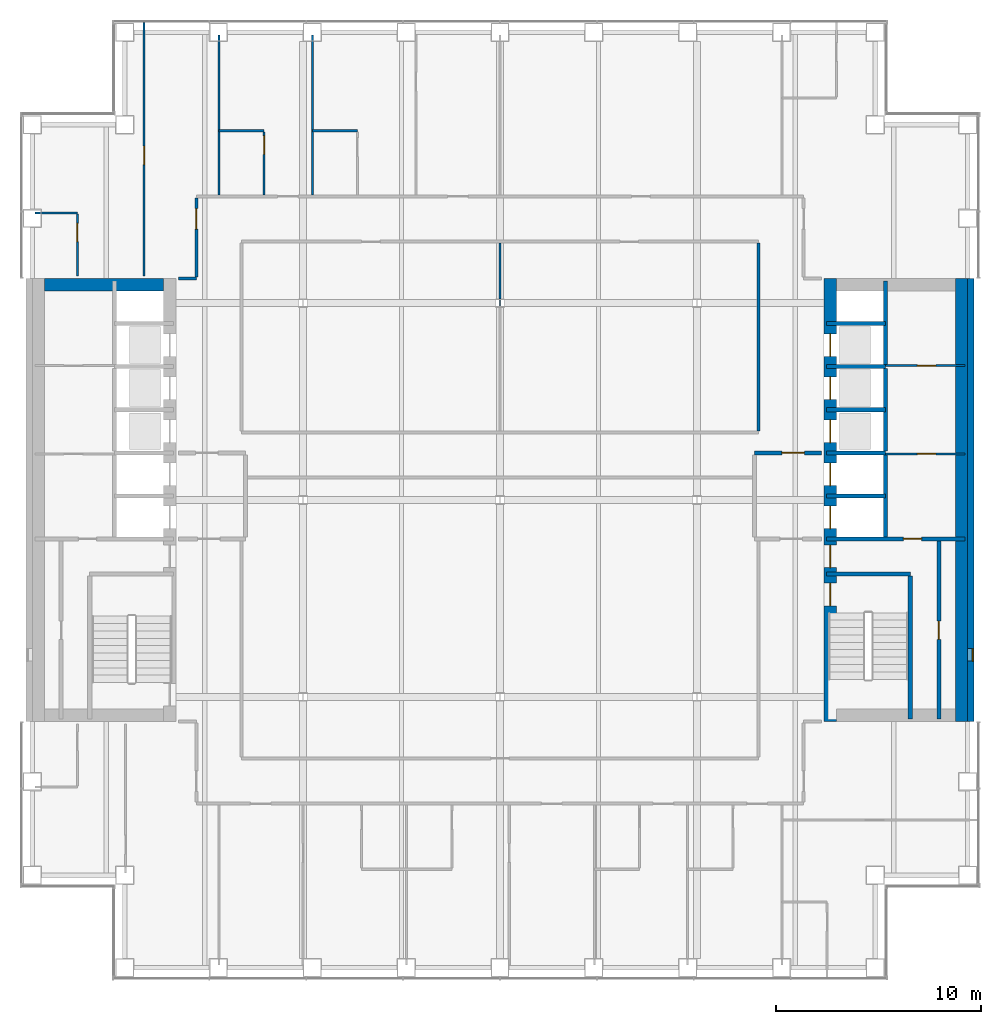
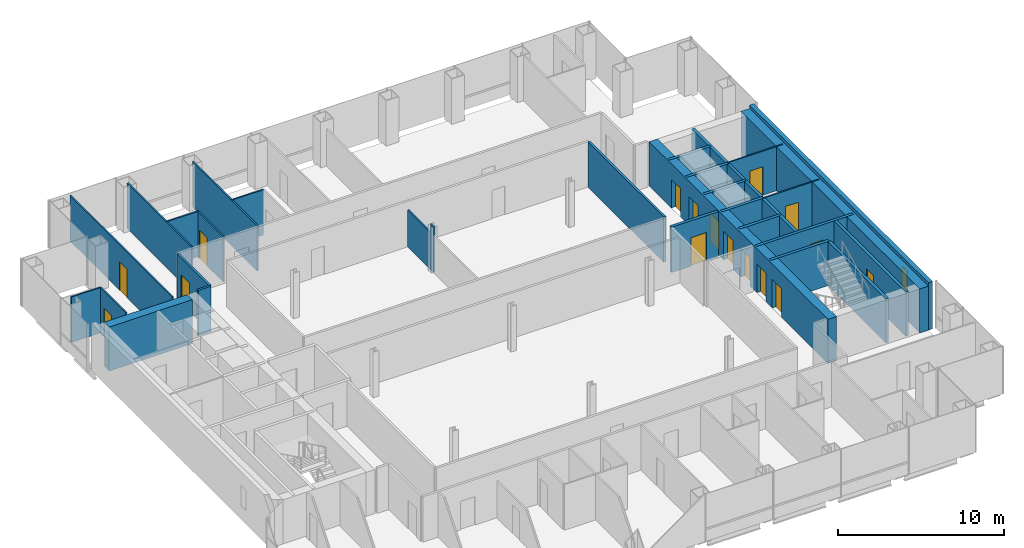
# One storey, part 12 of 15: 32 walls, 16 doors, 1 window, 17 openings.
"""IFC4 building model written with IfcOpenShell, lengths in metres."""

from ifc_helpers import new_model, si_unit, direction, frame, frame_2d, origin, place, context, subcontext, project, spatial, rectangle, extrude, material, layer, layer_set, type_object, element, fill, save


model = new_model("IFC4")

# Units and contexts
model_context = context("Model", 3, precision=1e-05, world=origin(), true_north=direction((0.0, 1.0)))
body_context = subcontext(model_context, "Body", "Model", "MODEL_VIEW")
ifc_project = project(units=[si_unit("LENGTHUNIT", "METRE"), si_unit("AREAUNIT", "SQUARE_METRE"), si_unit("VOLUMEUNIT", "CUBIC_METRE"), si_unit("PLANEANGLEUNIT", "RADIAN"), si_unit("MASSUNIT", "GRAM", prefix="KILO")], contexts=[model_context])

# Site, building, storey
site_placement = place(None, origin())
site = spatial("IfcSite", under=ifc_project, at=site_placement, CompositionType="ELEMENT")
building_placement = place(site_placement, origin())
building = spatial("IfcBuilding", under=site, at=building_placement, Name="Cobrizo Arcos Hotel Tower", CompositionType="ELEMENT")
storey_placement = place(building_placement, frame((0.0, 0.0, 99.5)))
storey = spatial("IfcBuildingStorey", under=building, at=storey_placement, Name="L24", CompositionType="ELEMENT", Elevation=99.5)

# Wall
ifc_material_1 = material(Name="Gypsum board partition")
ifc_layer_1 = layer(ifc_material_1, 0.14990234375)
ifc_layer_set_1 = layer_set([ifc_layer_1], Name="Corridor wall EI 60 150")
wall_type_1 = type_object("IfcWallType", Name="Corridor wall EI 60 150", PredefinedType="PARTITIONING", material=ifc_layer_set_1)
wall_1_placement = place(storey_placement, frame((-15.679931640625, 10.800048828125, 0.0), z_axis=(0.0, 0.0, 1.0), x_axis=(1.0, 0.0, 0.0)))
element("IfcWall", 1, at=wall_1_placement, inside=storey, type_object=wall_type_1, Name="Partition 035", PredefinedType="PARTITIONING", context=body_context, shape_type="SweptSolid", body=[
    extrude(rectangle(XDim=0.8798828125, YDim=0.14990234375, at=frame_2d((0.43994140625, 0.0))), origin(), (0.0, 0.0, 1.0), 3.35009765625),
])

# Wall, opening, door
wall_2_placement = place(storey_placement, frame((-14.800048828125, 10.875, 0.0), z_axis=(0.0, 0.0, 1.0), x_axis=(0.0, 1.0, 0.0)))
wall_2 = element("IfcWall", 2, at=wall_2_placement, inside=storey, type_object=wall_type_1, Name="Partition 053", PredefinedType="PARTITIONING", context=body_context, shape_type="SweptSolid", body=[
    extrude(rectangle(XDim=3.85009765625, YDim=0.14990234375, at=frame_2d((1.925048828125, 0.0))), origin(), (0.0, 0.0, 1.0), 3.35009765625),
])
opening_1_placement = place(wall_2_placement, frame((2.324951171875, 0.0, 0.0)))
opening_1 = element("IfcOpeningElement", 3, at=opening_1_placement, cuts=wall_2, Name="Opening GD-08", PredefinedType="OPENING", context=body_context, shape_type="SweptSolid", body=[
    extrude(rectangle(XDim=1.0, YDim=2.10009765625, at=frame_2d((0.5, 1.050048828125))), frame((0.0, 0.0869140625, 0.0), z_axis=(0.0, -1.0, 0.0), x_axis=(1.0, 0.0, 0.0)), (0.0, 0.0, 1.0), 0.173828125),
])
ifc_material_2 = material(Name="Timber door leaf", Category="wood")
door_type_1 = type_object("IfcDoorType", Name="Guest room door FD30S 1000x2100", OperationType="SINGLE_SWING_LEFT", PredefinedType="DOOR", material=ifc_material_2)
door_1_placement = place(opening_1_placement, origin())
door_1 = element("IfcDoor", 4, at=door_1_placement, inside=storey, type_object=door_type_1, Name="Door GD-08", OperationType="SINGLE_SWING_LEFT", OverallHeight=2.10009765625, OverallWidth=1.0, PredefinedType="DOOR", context=body_context, shape_type="SweptSolid", body=[
    extrude(rectangle(XDim=1.0, YDim=2.10009765625, at=frame_2d((0.5, 1.050048828125))), frame((0.0, 0.02490234375, 0.0), z_axis=(0.0, -1.0, 0.0), x_axis=(1.0, 0.0, 0.0)), (0.0, 0.0, 1.0), 0.050048828125),
])
fill(opening_1, door_1)

# Wall
wall_3_placement = place(storey_placement, frame((12.60009765625, 3.375, 0.0), z_axis=(0.0, 0.0, 1.0), x_axis=(0.0, 1.0, 0.0)))
element("IfcWall", 5, at=wall_3_placement, inside=storey, type_object=wall_type_1, Name="Partition 081", PredefinedType="PARTITIONING", context=body_context, shape_type="SweptSolid", body=[
    extrude(rectangle(XDim=9.14990234375, YDim=0.14990234375, at=frame_2d((4.574951171875, 0.0))), origin(), (0.0, 0.0, 1.0), 3.35009765625),
])

# Wall, opening, window
ifc_material_3 = material(Name="Aluminium composite panel pale metal", Category="aluminium")
ifc_layer_2 = layer(ifc_material_3, 0.300048828125)
ifc_layer_set_2 = layer_set([ifc_layer_2], Name="EW-1 insulated panel wall 300")
wall_type_2 = type_object("IfcWallType", Name="EW-1 insulated panel wall 300", PredefinedType="SOLIDWALL", material=ifc_layer_set_2)
wall_4_placement = place(storey_placement, frame((22.949951171875, -10.800048828125, 0.0), z_axis=(0.0, 0.0, 1.0), x_axis=(0.0, 1.0, 0.0)))
wall_4 = element("IfcWall", 6, at=wall_4_placement, inside=storey, type_object=wall_type_2, Name="Core face wall L24 E", PredefinedType="SOLIDWALL", context=body_context, shape_type="SweptSolid", body=[
    extrude(rectangle(XDim=21.60009765625, YDim=0.300048828125, at=frame_2d((10.800048828125, 0.0))), origin(), (0.0, 0.0, 1.0), 3.5),
])
opening_2_placement = place(wall_4_placement, frame((2.949951171875, 0.0, 1.0)))
opening_2 = element("IfcOpeningElement", 7, at=opening_2_placement, cuts=wall_4, Name="Opening W-49", PredefinedType="OPENING", context=body_context, shape_type="SweptSolid", body=[
    extrude(rectangle(XDim=0.60009765625, YDim=1.5, at=frame_2d((0.300048828125, 0.75))), frame((0.0, 0.162109375, 0.0), z_axis=(0.0, -1.0, 0.0), x_axis=(1.0, 0.0, 0.0)), (0.0, 0.0, 1.0), 0.323974609375),
])
ifc_material_4 = material(Name="Aluminium 6063-T6 and clear laminated glass", Category="aluminium")
window_type = type_object("IfcWindowType", Name="W-C1 core stair slot window 600x1500", PartitioningType="SINGLE_PANEL", PredefinedType="WINDOW", material=ifc_material_4)
window_placement = place(opening_2_placement, origin())
window = element("IfcWindow", 8, at=window_placement, inside=storey, type_object=window_type, Name="Core face wall L24 E window W-49", OverallHeight=1.5, OverallWidth=0.60009765625, PartitioningType="SINGLE_PANEL", PredefinedType="WINDOW", context=body_context, shape_type="SweptSolid", body=[
    extrude(rectangle(XDim=0.60009765625, YDim=1.5, at=frame_2d((0.300048828125, 0.75))), frame((0.0, -0.06005859375, 0.0), z_axis=(0.0, -1.0, 0.0), x_axis=(1.0, 0.0, 0.0)), (0.0, 0.0, 1.0), 0.06005859375),
])
fill(opening_2, window)

# Wall, opening, door
ifc_layer_3 = layer(ifc_material_1, 0.10009765625)
ifc_layer_set_3 = layer_set([ifc_layer_3], Name="Partition EI 30 100")
wall_type_3 = type_object("IfcWallType", Name="Partition EI 30 100", PredefinedType="PARTITIONING", material=ifc_layer_set_3)
wall_5_placement = place(storey_placement, frame((18.800048828125, 2.25, 0.0), z_axis=(0.0, 0.0, 1.0), x_axis=(1.0, 0.0, 0.0)))
wall_5 = element("IfcWall", 9, at=wall_5_placement, inside=storey, type_object=wall_type_3, Name="Partition 021", PredefinedType="PARTITIONING", context=body_context, shape_type="SweptSolid", body=[
    extrude(rectangle(XDim=3.8798828125, YDim=0.10009765625, at=frame_2d((1.93994140625, 0.0))), origin(), (0.0, 0.0, 1.0), 3.25),
])
opening_3_placement = place(wall_5_placement, frame((1.550048828125, 0.0, 0.0)))
opening_3 = element("IfcOpeningElement", 10, at=opening_3_placement, cuts=wall_5, Name="Opening RD-07", PredefinedType="OPENING", context=body_context, shape_type="SweptSolid", body=[
    extrude(rectangle(XDim=0.89990234375, YDim=2.10009765625, at=frame_2d((0.449951171875, 1.050048828125))), frame((0.0, 0.06201171875, 0.0), z_axis=(0.0, -1.0, 0.0), x_axis=(1.0, 0.0, 0.0)), (0.0, 0.0, 1.0), 0.1240234375),
])
door_type_2 = type_object("IfcDoorType", Name="Room door FD30 900x2100", OperationType="SINGLE_SWING_LEFT", PredefinedType="DOOR", material=ifc_material_2)
door_2_placement = place(opening_3_placement, origin())
door_2 = element("IfcDoor", 11, at=door_2_placement, inside=storey, type_object=door_type_2, Name="Door RD-07", OperationType="SINGLE_SWING_RIGHT", OverallHeight=2.10009765625, OverallWidth=0.89990234375, PredefinedType="DOOR", context=body_context, shape_type="SweptSolid", body=[
    extrude(rectangle(XDim=0.89990234375, YDim=2.10009765625, at=frame_2d((0.449951171875, 1.050048828125))), frame((0.0, 0.02490234375, 0.0), z_axis=(0.0, -1.0, 0.0), x_axis=(1.0, 0.0, 0.0)), (0.0, 0.0, 1.0), 0.050048828125),
])
fill(opening_3, door_2)

wall_6_placement = place(storey_placement, frame((18.800048828125, 6.550048828125, 0.0), z_axis=(0.0, 0.0, 1.0), x_axis=(1.0, 0.0, 0.0)))
wall_6 = element("IfcWall", 12, at=wall_6_placement, inside=storey, type_object=wall_type_3, Name="Partition 032", PredefinedType="PARTITIONING", context=body_context, shape_type="SweptSolid", body=[
    extrude(rectangle(XDim=3.8798828125, YDim=0.10009765625, at=frame_2d((1.93994140625, 0.0))), origin(), (0.0, 0.0, 1.0), 3.25),
])
opening_4_placement = place(wall_6_placement, frame((1.550048828125, 0.0, 0.0)))
opening_4 = element("IfcOpeningElement", 13, at=opening_4_placement, cuts=wall_6, Name="Opening RD-08", PredefinedType="OPENING", context=body_context, shape_type="SweptSolid", body=[
    extrude(rectangle(XDim=0.89990234375, YDim=2.10009765625, at=frame_2d((0.449951171875, 1.050048828125))), frame((0.0, 0.06201171875, 0.0), z_axis=(0.0, -1.0, 0.0), x_axis=(1.0, 0.0, 0.0)), (0.0, 0.0, 1.0), 0.1240234375),
])
door_3_placement = place(opening_4_placement, origin())
door_3 = element("IfcDoor", 14, at=door_3_placement, inside=storey, type_object=door_type_2, Name="Door RD-08", OperationType="SINGLE_SWING_RIGHT", OverallHeight=2.10009765625, OverallWidth=0.89990234375, PredefinedType="DOOR", context=body_context, shape_type="SweptSolid", body=[
    extrude(rectangle(XDim=0.89990234375, YDim=2.10009765625, at=frame_2d((0.449951171875, 1.050048828125))), frame((0.0, 0.02490234375, 0.0), z_axis=(0.0, -1.0, 0.0), x_axis=(1.0, 0.0, 0.0)), (0.0, 0.0, 1.0), 0.050048828125),
])
fill(opening_4, door_3)

# Walls
wall_7_placement = place(storey_placement, frame((-22.679931640625, 14.0, 0.0), z_axis=(0.0, 0.0, 1.0), x_axis=(1.0, 0.0, 0.0)))
element("IfcWall", 15, at=wall_7_placement, inside=storey, type_object=wall_type_3, Name="Partition 038", PredefinedType="PARTITIONING", context=body_context, shape_type="SweptSolid", body=[
    extrude(rectangle(XDim=2.079833984375, YDim=0.10009765625, at=frame_2d((1.0400390625, 0.0))), origin(), (0.0, 0.0, 1.0), 3.35009765625),
])
for number, where, z_axis, x_axis, name in (
    (16, (-13.699951171875, 18.0, 0.0), (0.0, 0.0, 1.0), (1.0, 0.0, 0.0), "Partition 040"),
    (17, (-9.14990234375, 18.0, 0.0), (0.0, 0.0, 1.0), (1.0, 0.0, 0.0), "Partition 041"),
):
    element("IfcWall", number, at=place(storey_placement, frame(where, z_axis=z_axis, x_axis=x_axis)), inside=storey, type_object=wall_type_3, Name=name, PredefinedType="PARTITIONING", context=body_context, shape_type="SweptSolid", body=[
        extrude(rectangle(XDim=2.199951171875, YDim=0.10009765625, at=frame_2d((1.10009765625, 0.0))), origin(), (0.0, 0.0, 1.0), 3.35009765625),
    ])

# Wall, opening, door
wall_8_placement = place(storey_placement, frame((-20.60009765625, 10.919921875, 0.0), z_axis=(0.0, 0.0, 1.0), x_axis=(0.0, 1.0, 0.0)))
wall_8 = element("IfcWall", 18, at=wall_8_placement, inside=storey, type_object=wall_type_3, Name="Partition 045", PredefinedType="PARTITIONING", context=body_context, shape_type="SweptSolid", body=[
    extrude(rectangle(XDim=3.030029296875, YDim=0.10009765625, at=frame_2d((1.51513671875, 0.0))), origin(), (0.0, 0.0, 1.0), 3.35009765625),
])
opening_5_placement = place(wall_8_placement, frame((1.669921875, 0.0, 0.0)))
opening_5 = element("IfcOpeningElement", 19, at=opening_5_placement, cuts=wall_8, Name="Opening ED-08", PredefinedType="OPENING", context=body_context, shape_type="SweptSolid", body=[
    extrude(rectangle(XDim=0.89990234375, YDim=2.10009765625, at=frame_2d((0.449951171875, 1.050048828125))), frame((0.0, 0.06201171875, 0.0), z_axis=(0.0, -1.0, 0.0), x_axis=(1.0, 0.0, 0.0)), (0.0, 0.0, 1.0), 0.1240234375),
])
door_type_3 = type_object("IfcDoorType", Name="En-suite door 900x2100", OperationType="SINGLE_SWING_LEFT", PredefinedType="DOOR", material=ifc_material_2)
door_4_placement = place(opening_5_placement, origin())
door_4 = element("IfcDoor", 20, at=door_4_placement, inside=storey, type_object=door_type_3, Name="Door ED-08", OperationType="SINGLE_SWING_LEFT", OverallHeight=2.10009765625, OverallWidth=0.89990234375, PredefinedType="DOOR", context=body_context, shape_type="SweptSolid", body=[
    extrude(rectangle(XDim=0.89990234375, YDim=2.10009765625, at=frame_2d((0.449951171875, 1.050048828125))), frame((0.0, 0.02490234375, 0.0), z_axis=(0.0, -1.0, 0.0), x_axis=(1.0, 0.0, 0.0)), (0.0, 0.0, 1.0), 0.050048828125),
])
fill(opening_5, door_4)

wall_9_placement = place(storey_placement, frame((-17.35009765625, 10.919921875, 0.0), z_axis=(0.0, 0.0, 1.0), x_axis=(0.0, 1.0, 0.0)))
wall_9 = element("IfcWall", 21, at=wall_9_placement, inside=storey, type_object=wall_type_3, Name="Partition 051", PredefinedType="PARTITIONING", context=body_context, shape_type="SweptSolid", body=[
    extrude(rectangle(XDim=12.360107421875, YDim=0.10009765625, at=frame_2d((6.18017578125, 0.0))), origin(), (0.0, 0.0, 1.0), 3.35009765625),
])
opening_6_placement = place(wall_9_placement, frame((5.429931640625, 0.0, 0.0)))
opening_6 = element("IfcOpeningElement", 22, at=opening_6_placement, cuts=wall_9, Name="Opening RD-14", PredefinedType="OPENING", context=body_context, shape_type="SweptSolid", body=[
    extrude(rectangle(XDim=0.89990234375, YDim=2.10009765625, at=frame_2d((0.449951171875, 1.050048828125))), frame((0.0, 0.06201171875, 0.0), z_axis=(0.0, -1.0, 0.0), x_axis=(1.0, 0.0, 0.0)), (0.0, 0.0, 1.0), 0.1240234375),
])
door_5_placement = place(opening_6_placement, origin())
door_5 = element("IfcDoor", 23, at=door_5_placement, inside=storey, type_object=door_type_2, Name="Door RD-14", OperationType="SINGLE_SWING_LEFT", OverallHeight=2.10009765625, OverallWidth=0.89990234375, PredefinedType="DOOR", context=body_context, shape_type="SweptSolid", body=[
    extrude(rectangle(XDim=0.89990234375, YDim=2.10009765625, at=frame_2d((0.449951171875, 1.050048828125))), frame((0.0, 0.02490234375, 0.0), z_axis=(0.0, -1.0, 0.0), x_axis=(1.0, 0.0, 0.0)), (0.0, 0.0, 1.0), 0.050048828125),
])
fill(opening_6, door_5)

# Wall
wall_10_placement = place(storey_placement, frame((-13.699951171875, 14.875, 0.0), z_axis=(0.0, 0.0, 1.0), x_axis=(0.0, 1.0, 0.0)))
element("IfcWall", 24, at=wall_10_placement, inside=storey, type_object=wall_type_3, Name="Partition 055", PredefinedType="PARTITIONING", context=body_context, shape_type="SweptSolid", body=[
    extrude(rectangle(XDim=7.804931640625, YDim=0.10009765625, at=frame_2d((3.90234375, 0.0))), origin(), (0.0, 0.0, 1.0), 3.35009765625),
])

# Wall, opening, door
wall_11_placement = place(storey_placement, frame((-11.5, 14.875, 0.0), z_axis=(0.0, 0.0, 1.0), x_axis=(0.0, 1.0, 0.0)))
wall_11 = element("IfcWall", 25, at=wall_11_placement, inside=storey, type_object=wall_type_3, Name="Partition 059", PredefinedType="PARTITIONING", context=body_context, shape_type="SweptSolid", body=[
    extrude(rectangle(XDim=3.074951171875, YDim=0.10009765625, at=frame_2d((1.53759765625, 0.0))), origin(), (0.0, 0.0, 1.0), 3.35009765625),
])
opening_7_placement = place(wall_11_placement, frame((1.970947265625, 0.0, 0.0)))
opening_7 = element("IfcOpeningElement", 26, at=opening_7_placement, cuts=wall_11, Name="Opening ED-01", PredefinedType="OPENING", context=body_context, shape_type="SweptSolid", body=[
    extrude(rectangle(XDim=0.89990234375, YDim=2.10009765625, at=frame_2d((0.449951171875, 1.050048828125))), frame((0.0, 0.06201171875, 0.0), z_axis=(0.0, -1.0, 0.0), x_axis=(1.0, 0.0, 0.0)), (0.0, 0.0, 1.0), 0.1240234375),
])
door_6_placement = place(opening_7_placement, origin())
door_6 = element("IfcDoor", 27, at=door_6_placement, inside=storey, type_object=door_type_3, Name="Door ED-01", OperationType="SINGLE_SWING_LEFT", OverallHeight=2.10009765625, OverallWidth=0.89990234375, PredefinedType="DOOR", context=body_context, shape_type="SweptSolid", body=[
    extrude(rectangle(XDim=0.89990234375, YDim=2.10009765625, at=frame_2d((0.449951171875, 1.050048828125))), frame((0.0, 0.02490234375, 0.0), z_axis=(0.0, -1.0, 0.0), x_axis=(1.0, 0.0, 0.0)), (0.0, 0.0, 1.0), 0.050048828125),
])
fill(opening_7, door_6)

# Walls
wall_12_placement = place(storey_placement, frame((-9.14990234375, 14.875, 0.0), z_axis=(0.0, 0.0, 1.0), x_axis=(0.0, 1.0, 0.0)))
element("IfcWall", 28, at=wall_12_placement, inside=storey, type_object=wall_type_3, Name="Partition 062", PredefinedType="PARTITIONING", context=body_context, shape_type="SweptSolid", body=[
    extrude(rectangle(XDim=7.804931640625, YDim=0.10009765625, at=frame_2d((3.90234375, 0.0))), origin(), (0.0, 0.0, 1.0), 3.35009765625),
])
wall_13_placement = place(storey_placement, frame((0.0, 9.40087890625, 0.0), z_axis=(0.0, 0.0, 1.0), x_axis=(0.0, 1.0, 0.0)))
element("IfcWall", 29, at=wall_13_placement, inside=storey, type_object=wall_type_3, Name="Partition 070", PredefinedType="PARTITIONING", context=body_context, shape_type="SweptSolid", body=[
    extrude(rectangle(XDim=0.398193359375, YDim=0.10009765625, at=frame_2d((0.19921875, 0.0))), origin(), (0.0, 0.0, 1.0), 3.35009765625),
])
wall_14_placement = place(storey_placement, frame((0.0, 9.799072265625, 0.0), z_axis=(0.0, 0.0, 1.0), x_axis=(0.0, 1.0, 0.0)))
element("IfcWall", 30, at=wall_14_placement, inside=storey, type_object=wall_type_3, Name="Partition 071", PredefinedType="PARTITIONING", context=body_context, shape_type="SweptSolid", body=[
    extrude(rectangle(XDim=2.725830078125, YDim=0.10009765625, at=frame_2d((1.36279296875, 0.0))), origin(), (0.0, 0.0, 1.0), 2.72802734375),
])

# Wall, openings, doors
ifc_material_5 = material(Name="Concrete f'c 50 MPa", Category="concrete")
ifc_layer_4 = layer(ifc_material_5, 0.60009765625)
ifc_layer_set_4 = layer_set([ifc_layer_4], Name="RC core wall 600 f'c 50")
wall_type_4 = type_object("IfcWallType", Name="RC core wall 600 f'c 50", PredefinedType="SHEAR", material=ifc_layer_set_4)
wall_15_placement = place(storey_placement, frame((16.10009765625, -10.800048828125, 0.0), z_axis=(0.0, 0.0, 1.0), x_axis=(0.0, 1.0, 0.0)))
wall_15 = element("IfcWall", 31, at=wall_15_placement, inside=storey, type_object=wall_type_4, Name="Core wall CW2, east core, inner face, L24", PredefinedType="SHEAR", context=body_context, shape_type="SweptSolid", body=[
    extrude(rectangle(XDim=21.60009765625, YDim=0.60009765625, at=frame_2d((10.800048828125, 0.0))), origin(), (0.0, 0.0, 1.0), 3.25),
])
opening_8_placement = place(wall_15_placement, frame((9.39990234375, 0.0, 0.0)))
opening_8 = element("IfcOpeningElement", 32, at=opening_8_placement, cuts=wall_15, Name="Opening LD-06", PredefinedType="OPENING", context=body_context, shape_type="SweptSolid", body=[
    extrude(rectangle(XDim=1.10009765625, YDim=2.10009765625, at=frame_2d((0.550048828125, 1.050048828125))), frame((0.0, 0.31201171875, 0.0), z_axis=(0.0, -1.0, 0.0), x_axis=(1.0, 0.0, 0.0)), (0.0, 0.0, 1.0), 0.6240234375),
])
opening_9_placement = place(wall_15_placement, frame((11.5, 0.0, 0.0)))
opening_9 = element("IfcOpeningElement", 33, at=opening_9_placement, cuts=wall_15, Name="Opening LD-07", PredefinedType="OPENING", context=body_context, shape_type="SweptSolid", body=[
    extrude(rectangle(XDim=1.10009765625, YDim=2.10009765625, at=frame_2d((0.550048828125, 1.050048828125))), frame((0.0, 0.31201171875, 0.0), z_axis=(0.0, -1.0, 0.0), x_axis=(1.0, 0.0, 0.0)), (0.0, 0.0, 1.0), 0.6240234375),
])
opening_10_placement = place(wall_15_placement, frame((13.60009765625, 0.0, 0.0)))
opening_10 = element("IfcOpeningElement", 34, at=opening_10_placement, cuts=wall_15, Name="Opening LD-08", PredefinedType="OPENING", context=body_context, shape_type="SweptSolid", body=[
    extrude(rectangle(XDim=1.10009765625, YDim=2.10009765625, at=frame_2d((0.550048828125, 1.050048828125))), frame((0.0, 0.31201171875, 0.0), z_axis=(0.0, -1.0, 0.0), x_axis=(1.0, 0.0, 0.0)), (0.0, 0.0, 1.0), 0.6240234375),
])
opening_11_placement = place(wall_15_placement, frame((15.699951171875, 0.0, 0.0)))
opening_11 = element("IfcOpeningElement", 35, at=opening_11_placement, cuts=wall_15, Name="Opening LD-09", PredefinedType="OPENING", context=body_context, shape_type="SweptSolid", body=[
    extrude(rectangle(XDim=1.10009765625, YDim=2.10009765625, at=frame_2d((0.550048828125, 1.050048828125))), frame((0.0, 0.31201171875, 0.0), z_axis=(0.0, -1.0, 0.0), x_axis=(1.0, 0.0, 0.0)), (0.0, 0.0, 1.0), 0.6240234375),
])
opening_12_placement = place(wall_15_placement, frame((17.800048828125, 0.0, 0.0)))
opening_12 = element("IfcOpeningElement", 36, at=opening_12_placement, cuts=wall_15, Name="Opening LD-10", PredefinedType="OPENING", context=body_context, shape_type="SweptSolid", body=[
    extrude(rectangle(XDim=1.10009765625, YDim=2.10009765625, at=frame_2d((0.550048828125, 1.050048828125))), frame((0.0, 0.31201171875, 0.0), z_axis=(0.0, -1.0, 0.0), x_axis=(1.0, 0.0, 0.0)), (0.0, 0.0, 1.0), 0.6240234375),
])
opening_13_placement = place(wall_15_placement, frame((5.64208984375, 0.0, 0.0)))
opening_13 = element("IfcOpeningElement", 37, at=opening_13_placement, cuts=wall_15, Name="Opening SD-02", PredefinedType="OPENING", context=body_context, shape_type="SweptSolid", body=[
    extrude(rectangle(XDim=1.10009765625, YDim=2.10009765625, at=frame_2d((0.550048828125, 1.050048828125))), frame((0.0, 0.31201171875, 0.0), z_axis=(0.0, -1.0, 0.0), x_axis=(1.0, 0.0, 0.0)), (0.0, 0.0, 1.0), 0.6240234375),
])
opening_14_placement = place(wall_15_placement, frame((7.5, 0.0, 0.0)))
opening_14 = element("IfcOpeningElement", 38, at=opening_14_placement, cuts=wall_15, Name="Opening FD-04", PredefinedType="OPENING", context=body_context, shape_type="SweptSolid", body=[
    extrude(rectangle(XDim=1.10009765625, YDim=2.10009765625, at=frame_2d((0.550048828125, 1.050048828125))), frame((0.0, 0.31201171875, 0.0), z_axis=(0.0, -1.0, 0.0), x_axis=(1.0, 0.0, 0.0)), (0.0, 0.0, 1.0), 0.6240234375),
])
ifc_material_6 = material(Name="Steel door leaf", Category="steel")
door_type_4 = type_object("IfcDoorType", Name="Fire door FD60 1100x2100", OperationType="SINGLE_SWING_LEFT", PredefinedType="DOOR", material=ifc_material_6)
door_7_placement = place(opening_14_placement, origin())
door_7 = element("IfcDoor", 39, at=door_7_placement, inside=storey, type_object=door_type_4, Name="Door FD-04", OperationType="SINGLE_SWING_LEFT", OverallHeight=2.10009765625, OverallWidth=1.10009765625, PredefinedType="DOOR", context=body_context, shape_type="SweptSolid", body=[
    extrude(rectangle(XDim=1.10009765625, YDim=2.10009765625, at=frame_2d((0.550048828125, 1.050048828125))), frame((0.0, 0.02490234375, 0.0), z_axis=(0.0, -1.0, 0.0), x_axis=(1.0, 0.0, 0.0)), (0.0, 0.0, 1.0), 0.050048828125),
])
fill(opening_14, door_7)
door_type_5 = type_object("IfcDoorType", Name="Lift landing door 1100x2100", OperationType="SLIDING_TO_LEFT", PredefinedType="DOOR", material=ifc_material_6)
door_8_placement = place(opening_8_placement, origin())
door_8 = element("IfcDoor", 40, at=door_8_placement, inside=storey, type_object=door_type_5, Name="Lift landing door LD-06", OperationType="SLIDING_TO_LEFT", OverallHeight=2.10009765625, OverallWidth=1.10009765625, PredefinedType="DOOR", context=body_context, shape_type="SweptSolid", body=[
    extrude(rectangle(XDim=1.10009765625, YDim=2.10009765625, at=frame_2d((0.550048828125, 1.050048828125))), frame((0.0, 0.02490234375, 0.0), z_axis=(0.0, -1.0, 0.0), x_axis=(1.0, 0.0, 0.0)), (0.0, 0.0, 1.0), 0.050048828125),
])
fill(opening_8, door_8)
door_9_placement = place(opening_9_placement, origin())
door_9 = element("IfcDoor", 41, at=door_9_placement, inside=storey, type_object=door_type_5, Name="Lift landing door LD-07", OperationType="SLIDING_TO_LEFT", OverallHeight=2.10009765625, OverallWidth=1.10009765625, PredefinedType="DOOR", context=body_context, shape_type="SweptSolid", body=[
    extrude(rectangle(XDim=1.10009765625, YDim=2.10009765625, at=frame_2d((0.550048828125, 1.050048828125))), frame((0.0, 0.02490234375, 0.0), z_axis=(0.0, -1.0, 0.0), x_axis=(1.0, 0.0, 0.0)), (0.0, 0.0, 1.0), 0.050048828125),
])
fill(opening_9, door_9)
door_10_placement = place(opening_10_placement, origin())
door_10 = element("IfcDoor", 42, at=door_10_placement, inside=storey, type_object=door_type_5, Name="Lift landing door LD-08", OperationType="SLIDING_TO_LEFT", OverallHeight=2.10009765625, OverallWidth=1.10009765625, PredefinedType="DOOR", context=body_context, shape_type="SweptSolid", body=[
    extrude(rectangle(XDim=1.10009765625, YDim=2.10009765625, at=frame_2d((0.550048828125, 1.050048828125))), frame((0.0, 0.02490234375, 0.0), z_axis=(0.0, -1.0, 0.0), x_axis=(1.0, 0.0, 0.0)), (0.0, 0.0, 1.0), 0.050048828125),
])
fill(opening_10, door_10)
door_11_placement = place(opening_11_placement, origin())
door_11 = element("IfcDoor", 43, at=door_11_placement, inside=storey, type_object=door_type_5, Name="Lift landing door LD-09", OperationType="SLIDING_TO_LEFT", OverallHeight=2.10009765625, OverallWidth=1.10009765625, PredefinedType="DOOR", context=body_context, shape_type="SweptSolid", body=[
    extrude(rectangle(XDim=1.10009765625, YDim=2.10009765625, at=frame_2d((0.550048828125, 1.050048828125))), frame((0.0, 0.02490234375, 0.0), z_axis=(0.0, -1.0, 0.0), x_axis=(1.0, 0.0, 0.0)), (0.0, 0.0, 1.0), 0.050048828125),
])
fill(opening_11, door_11)
door_12_placement = place(opening_12_placement, origin())
door_12 = element("IfcDoor", 44, at=door_12_placement, inside=storey, type_object=door_type_5, Name="Lift landing door LD-10", OperationType="SLIDING_TO_LEFT", OverallHeight=2.10009765625, OverallWidth=1.10009765625, PredefinedType="DOOR", context=body_context, shape_type="SweptSolid", body=[
    extrude(rectangle(XDim=1.10009765625, YDim=2.10009765625, at=frame_2d((0.550048828125, 1.050048828125))), frame((0.0, 0.02490234375, 0.0), z_axis=(0.0, -1.0, 0.0), x_axis=(1.0, 0.0, 0.0)), (0.0, 0.0, 1.0), 0.050048828125),
])
fill(opening_12, door_12)
door_type_6 = type_object("IfcDoorType", Name="Stair door FD60S 1100x2100", OperationType="SINGLE_SWING_LEFT", PredefinedType="DOOR", material=ifc_material_6)
door_13_placement = place(opening_13_placement, origin())
door_13 = element("IfcDoor", 45, at=door_13_placement, inside=storey, type_object=door_type_6, Name="Door SD-02", OperationType="SINGLE_SWING_LEFT", OverallHeight=2.10009765625, OverallWidth=1.10009765625, PredefinedType="DOOR", context=body_context, shape_type="SweptSolid", body=[
    extrude(rectangle(XDim=1.10009765625, YDim=2.10009765625, at=frame_2d((0.550048828125, 1.050048828125))), frame((0.0, 0.02490234375, 0.0), z_axis=(0.0, -1.0, 0.0), x_axis=(1.0, 0.0, 0.0)), (0.0, 0.0, 1.0), 0.050048828125),
])
fill(opening_13, door_13)

# Walls
wall_16_placement = place(storey_placement, frame((22.5, -10.800048828125, 0.0), z_axis=(0.0, 0.0, 1.0), x_axis=(0.0, 1.0, 0.0)))
element("IfcWall", 46, at=wall_16_placement, inside=storey, type_object=wall_type_4, Name="Core wall CW2, east core, outer face, L24", PredefinedType="SHEAR", context=body_context, shape_type="SweptSolid", body=[
    extrude(rectangle(XDim=21.60009765625, YDim=0.60009765625, at=frame_2d((10.800048828125, 0.0))), origin(), (0.0, 0.0, 1.0), 3.25),
])
wall_17_placement = place(storey_placement, frame((-22.199951171875, 10.5, 0.0), z_axis=(0.0, 0.0, 1.0), x_axis=(1.0, 0.0, 0.0)))
element("IfcWall", 47, at=wall_17_placement, inside=storey, type_object=wall_type_4, Name="Core wall CW2, west core, north end, L24", PredefinedType="SHEAR", context=body_context, shape_type="SweptSolid", body=[
    extrude(rectangle(XDim=5.800048828125, YDim=0.60009765625, at=frame_2d((2.89990234375, 0.0))), origin(), (0.0, 0.0, 1.0), 3.25),
])

# Wall, opening, door
ifc_layer_5 = layer(ifc_material_1, 0.199951171875)
ifc_layer_set_5 = layer_set([ifc_layer_5], Name="Shaft wall EI 120 200")
wall_type_5 = type_object("IfcWallType", Name="Shaft wall EI 120 200", PredefinedType="PARTITIONING", material=ifc_layer_set_5)
wall_18_placement = place(storey_placement, frame((15.919921875, -1.89990234375, 0.0), z_axis=(0.0, 0.0, 1.0), x_axis=(1.0, 0.0, 0.0)))
wall_18 = element("IfcWall", 48, at=wall_18_placement, inside=storey, type_object=wall_type_5, Name="Partition 016", PredefinedType="PARTITIONING", context=body_context, shape_type="SweptSolid", body=[
    extrude(rectangle(XDim=6.760009765625, YDim=0.199951171875, at=frame_2d((3.3798828125, 0.0))), origin(), (0.0, 0.0, 1.0), 3.25),
])
opening_15_placement = place(wall_18_placement, frame((3.739990234375, 0.0, 0.0)))
opening_15 = element("IfcOpeningElement", 49, at=opening_15_placement, cuts=wall_18, Name="Opening RD-06", PredefinedType="OPENING", context=body_context, shape_type="SweptSolid", body=[
    extrude(rectangle(XDim=0.89990234375, YDim=2.10009765625, at=frame_2d((0.449951171875, 1.050048828125))), frame((0.0, 0.112060546875, 0.0), z_axis=(0.0, -1.0, 0.0), x_axis=(1.0, 0.0, 0.0)), (0.0, 0.0, 1.0), 0.223876953125),
])
door_14_placement = place(opening_15_placement, origin())
door_14 = element("IfcDoor", 50, at=door_14_placement, inside=storey, type_object=door_type_2, Name="Door RD-06", OperationType="SINGLE_SWING_RIGHT", OverallHeight=2.10009765625, OverallWidth=0.89990234375, PredefinedType="DOOR", context=body_context, shape_type="SweptSolid", body=[
    extrude(rectangle(XDim=0.89990234375, YDim=2.10009765625, at=frame_2d((0.449951171875, 1.050048828125))), frame((0.0, 0.02490234375, 0.0), z_axis=(0.0, -1.0, 0.0), x_axis=(1.0, 0.0, 0.0)), (0.0, 0.0, 1.0), 0.050048828125),
])
fill(opening_15, door_14)

# Wall
wall_19_placement = place(storey_placement, frame((15.919921875, 0.199951171875, 0.0), z_axis=(0.0, 0.0, 1.0), x_axis=(1.0, 0.0, 0.0)))
element("IfcWall", 51, at=wall_19_placement, inside=storey, type_object=wall_type_5, Name="Partition 018", PredefinedType="PARTITIONING", context=body_context, shape_type="SweptSolid", body=[
    extrude(rectangle(XDim=2.880126953125, YDim=0.199951171875, at=frame_2d((1.43994140625, 0.0))), origin(), (0.0, 0.0, 1.0), 3.25),
])

# Wall, opening, door
wall_20_placement = place(storey_placement, frame((12.39990234375, 2.300048828125, 0.0), z_axis=(0.0, 0.0, 1.0), x_axis=(1.0, 0.0, 0.0)))
wall_20 = element("IfcWall", 52, at=wall_20_placement, inside=storey, type_object=wall_type_5, Name="Partition 024", PredefinedType="PARTITIONING", context=body_context, shape_type="SweptSolid", body=[
    extrude(rectangle(XDim=3.280029296875, YDim=0.199951171875, at=frame_2d((1.64013671875, 0.0))), origin(), (0.0, 0.0, 1.0), 3.35009765625),
])
opening_16_placement = place(wall_20_placement, frame((1.340087890625, 0.0, 0.0)))
opening_16 = element("IfcOpeningElement", 53, at=opening_16_placement, cuts=wall_20, Name="Opening FD-06", PredefinedType="OPENING", context=body_context, shape_type="SweptSolid", body=[
    extrude(rectangle(XDim=1.10009765625, YDim=2.10009765625, at=frame_2d((0.550048828125, 1.050048828125))), frame((0.0, 0.112060546875, 0.0), z_axis=(0.0, -1.0, 0.0), x_axis=(1.0, 0.0, 0.0)), (0.0, 0.0, 1.0), 0.223876953125),
])
door_15_placement = place(opening_16_placement, origin())
door_15 = element("IfcDoor", 54, at=door_15_placement, inside=storey, type_object=door_type_4, Name="Door FD-06", OperationType="SINGLE_SWING_RIGHT", OverallHeight=2.10009765625, OverallWidth=1.10009765625, PredefinedType="DOOR", context=body_context, shape_type="SweptSolid", body=[
    extrude(rectangle(XDim=1.10009765625, YDim=2.10009765625, at=frame_2d((0.550048828125, 1.050048828125))), frame((0.0, 0.02490234375, 0.0), z_axis=(0.0, -1.0, 0.0), x_axis=(1.0, 0.0, 0.0)), (0.0, 0.0, 1.0), 0.050048828125),
])
fill(opening_16, door_15)

# Walls
for number, where, z_axis, x_axis, name in (
    (55, (15.919921875, 2.300048828125, 0.0), (0.0, 0.0, 1.0), (1.0, 0.0, 0.0), "Partition 025"),
    (56, (15.919921875, 4.39990234375, 0.0), (0.0, 0.0, 1.0), (1.0, 0.0, 0.0), "Partition 028"),
    (57, (15.919921875, 6.5, 0.0), (0.0, 0.0, 1.0), (1.0, 0.0, 0.0), "Partition 030"),
    (58, (15.919921875, 8.60009765625, 0.0), (0.0, 0.0, 1.0), (1.0, 0.0, 0.0), "Partition 034"),
):
    element("IfcWall", number, at=place(storey_placement, frame(where, z_axis=z_axis, x_axis=x_axis)), inside=storey, type_object=wall_type_5, Name=name, PredefinedType="PARTITIONING", context=body_context, shape_type="SweptSolid", body=[
        extrude(rectangle(XDim=2.880126953125, YDim=0.199951171875, at=frame_2d((1.43994140625, 0.0))), origin(), (0.0, 0.0, 1.0), 3.25),
    ])
for number, where, z_axis, x_axis, name in (
    (59, (18.800048828125, -1.800048828125, 0.0), (0.0, 0.0, 1.0), (0.0, 1.0, 0.0), "Partition 088"),
    (60, (18.800048828125, 2.39990234375, 0.0), (0.0, 0.0, 1.0), (0.0, 1.0, 0.0), "Partition 089"),
):
    element("IfcWall", number, at=place(storey_placement, frame(where, z_axis=z_axis, x_axis=x_axis)), inside=storey, type_object=wall_type_5, Name=name, PredefinedType="PARTITIONING", context=body_context, shape_type="SweptSolid", body=[
        extrude(rectangle(XDim=4.0, YDim=0.199951171875, at=frame_2d((2.0, 0.0))), origin(), (0.0, 0.0, 1.0), 3.25),
    ])
wall_21_placement = place(storey_placement, frame((18.800048828125, 6.60009765625, 0.0), z_axis=(0.0, 0.0, 1.0), x_axis=(0.0, 1.0, 0.0)))
element("IfcWall", 61, at=wall_21_placement, inside=storey, type_object=wall_type_5, Name="Partition 090", PredefinedType="PARTITIONING", context=body_context, shape_type="SweptSolid", body=[
    extrude(rectangle(XDim=4.079833984375, YDim=0.199951171875, at=frame_2d((2.0400390625, 0.0))), origin(), (0.0, 0.0, 1.0), 3.25),
])

# Wall, opening, door
wall_22_placement = place(storey_placement, frame((21.39990234375, -10.679931640625, 0.0), z_axis=(0.0, 0.0, 1.0), x_axis=(0.0, 1.0, 0.0)))
wall_22 = element("IfcWall", 62, at=wall_22_placement, inside=storey, type_object=wall_type_5, Name="Partition 092", PredefinedType="PARTITIONING", context=body_context, shape_type="SweptSolid", body=[
    extrude(rectangle(XDim=8.679931640625, YDim=0.199951171875, at=frame_2d((4.33984375, 0.0))), origin(), (0.0, 0.0, 1.0), 3.25),
])
opening_17_placement = place(wall_22_placement, frame((3.8798828125, 0.0, 0.0)))
opening_17 = element("IfcOpeningElement", 63, at=opening_17_placement, cuts=wall_22, Name="Opening RD-05", PredefinedType="OPENING", context=body_context, shape_type="SweptSolid", body=[
    extrude(rectangle(XDim=0.89990234375, YDim=2.10009765625, at=frame_2d((0.449951171875, 1.050048828125))), frame((0.0, 0.112060546875, 0.0), z_axis=(0.0, -1.0, 0.0), x_axis=(1.0, 0.0, 0.0)), (0.0, 0.0, 1.0), 0.223876953125),
])
door_16_placement = place(opening_17_placement, origin())
door_16 = element("IfcDoor", 64, at=door_16_placement, inside=storey, type_object=door_type_2, Name="Door RD-05", OperationType="SINGLE_SWING_RIGHT", OverallHeight=2.10009765625, OverallWidth=0.89990234375, PredefinedType="DOOR", context=body_context, shape_type="SweptSolid", body=[
    extrude(rectangle(XDim=0.89990234375, YDim=2.10009765625, at=frame_2d((0.449951171875, 1.050048828125))), frame((0.0, 0.02490234375, 0.0), z_axis=(0.0, -1.0, 0.0), x_axis=(1.0, 0.0, 0.0)), (0.0, 0.0, 1.0), 0.050048828125),
])
fill(opening_17, door_16)

# Walls
ifc_material_7 = material(Name="Concrete f'c 40 MPa", Category="concrete")
ifc_layer_6 = layer(ifc_material_7, 0.199951171875)
ifc_layer_set_6 = layer_set([ifc_layer_6], Name="Stair shaft wall 200")
wall_type_6 = type_object("IfcWallType", Name="Stair shaft wall 200", PredefinedType="SHEAR", material=ifc_layer_set_6)
wall_23_placement = place(storey_placement, frame((15.919921875, -3.60009765625, 0.0), z_axis=(0.0, 0.0, 1.0), x_axis=(1.0, 0.0, 0.0)))
element("IfcWall", 65, at=wall_23_placement, inside=storey, type_object=wall_type_6, Name="Stair shaft wall E", PredefinedType="SHEAR", context=body_context, shape_type="SweptSolid", body=[
    extrude(rectangle(XDim=4.080078125, YDim=0.199951171875, at=frame_2d((2.0400390625, 0.0))), origin(), (0.0, 0.0, 1.0), 3.25),
])
wall_24_placement = place(storey_placement, frame((20.0, -10.679931640625, 0.0), z_axis=(0.0, 0.0, 1.0), x_axis=(0.0, 1.0, 0.0)))
element("IfcWall", 66, at=wall_24_placement, inside=storey, type_object=wall_type_6, Name="Stair shaft wall E", PredefinedType="SHEAR", context=body_context, shape_type="SweptSolid", body=[
    extrude(rectangle(XDim=6.97998046875, YDim=0.199951171875, at=frame_2d((3.489990234375, 0.0))), origin(), (0.0, 0.0, 1.0), 3.25),
])

save(model, "model.ifc")
